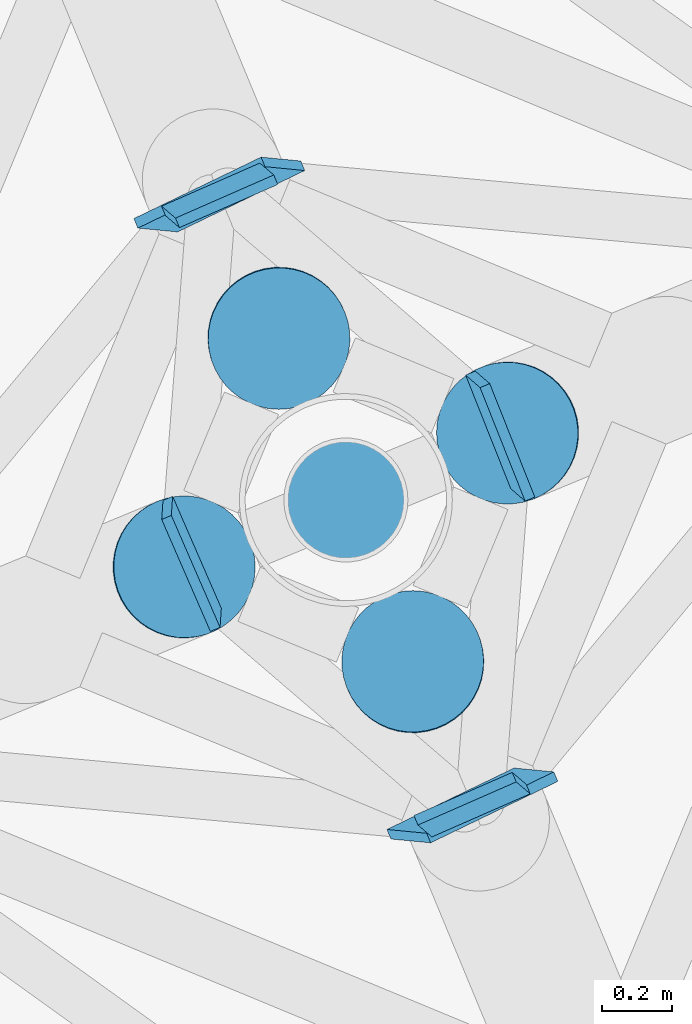
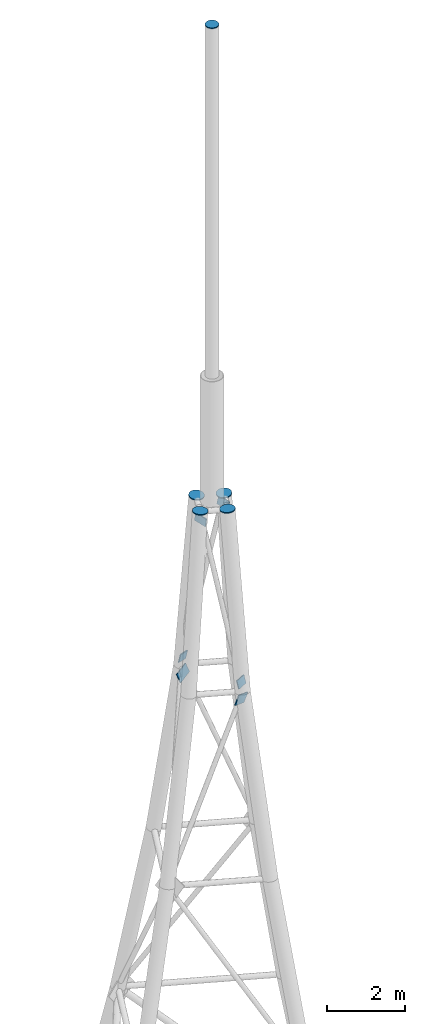
# One storey, part 24 of 25: 11 discrete accessories.
"""IFC4 building model written with IfcOpenShell, lengths in metres."""

from ifc_helpers import new_model, si_unit, direction, frame, origin, origin_2d, place, context, subcontext, project, spatial, rectangle, circle, extrude, material, layer, layer_set, type_object, element, save


model = new_model("IFC4")

# Units and contexts
model_context = context("Model", 3, precision=1e-05, world=origin(), true_north=direction((0.0, 1.0)))
body_context = subcontext(model_context, "Body", "Model", "MODEL_VIEW")
ifc_project = project(units=[si_unit("LENGTHUNIT", "METRE"), si_unit("AREAUNIT", "SQUARE_METRE"), si_unit("VOLUMEUNIT", "CUBIC_METRE"), si_unit("PLANEANGLEUNIT", "RADIAN"), si_unit("MASSUNIT", "GRAM", prefix="KILO")], contexts=[model_context])

# Site, building, storey
site_placement = place(None, origin())
site = spatial("IfcSite", under=ifc_project, at=site_placement, CompositionType="ELEMENT")
building_placement = place(site_placement, origin())
building = spatial("IfcBuilding", under=site, at=building_placement, Name="Nagisa Residences", CompositionType="ELEMENT")
storey_placement = place(building_placement, frame((0.0, 0.0, 340.89990234375)))
storey = spatial("IfcBuildingStorey", under=building, at=storey_placement, Name="L84", CompositionType="ELEMENT", Elevation=340.89990234375)

# Discrete accessories
ifc_material_1 = material(Name="Steel ASTM A572 Gr 50", Category="steel")
ifc_layer_1 = layer(ifc_material_1, 0.030029296875)
ifc_layer_set_1 = layer_set([ifc_layer_1], Name="End plate")
discrete_accessory_type_1 = type_object("IfcDiscreteAccessoryType", Name="End plate", PredefinedType="ANCHORPLATE", material=ifc_layer_set_1)
for number, where, z_axis, x_axis, name in (
    (1, (0.464599609375, 0.1923828125, 59.0), (-0.080990911305, -0.032396364522, 0.996188209051), (0.371390676354, -0.928476690885, 0.0), "End plate MAST-L"),
    (2, (-0.1923828125, 0.464599609375, 59.0), (0.032396364522, -0.080990911305, 0.996188209051), (0.928476690885, 0.371390676354, 0.0), "End plate MAST-L"),
    (3, (-0.464599609375, -0.1923828125, 59.0), (0.080990911305, 0.032396364522, 0.996188209051), (-0.371390676354, 0.928476690885, 0.0), "End plate MAST-L"),
    (4, (0.1923828125, -0.464599609375, 59.0), (-0.032396364522, 0.080990911305, 0.996188209051), (-0.928476690885, -0.371390676354, 0.0), "End plate MAST-L"),
):
    element("IfcDiscreteAccessory", number, at=place(storey_placement, frame(where, z_axis=z_axis, x_axis=x_axis)), inside=storey, type_object=discrete_accessory_type_1, Name=name, PredefinedType="ANCHORPLATE", context=body_context, shape_type="SweptSolid", body=[
        extrude(circle(Radius=0.203125, at=origin_2d()), origin(), (0.0, 0.0, 1.0), 0.030029296875),
    ])
discrete_accessory_1_placement = place(storey_placement, frame((0.0, 0.0, 74.0), z_axis=(0.0, 0.0, 1.0), x_axis=(1.0, 0.0, 0.0)))
element("IfcDiscreteAccessory", 5, at=discrete_accessory_1_placement, inside=storey, type_object=discrete_accessory_type_1, Name="End plate SPIRE-U", PredefinedType="ANCHORPLATE", context=body_context, shape_type="SweptSolid", body=[
    extrude(circle(Radius=0.177734375, at=origin_2d()), origin(), (0.0, 0.0, 1.0), 0.030029296875),
])
ifc_material_2 = material(Name="Steel ASTM A572 Gr 50", Category="steel")
ifc_layer_2 = layer(ifc_material_2, 0.030029296875)
ifc_layer_set_2 = layer_set([ifc_layer_2], Name="Node plate")
discrete_accessory_type_2 = type_object("IfcDiscreteAccessoryType", Name="Node plate", PredefinedType="ANCHORPLATE", material=ifc_layer_set_2)
for number, where, z_axis, x_axis, name in (
    (6, (-0.356689453125, 0.861083984375, 53.2470703125), (-0.373798480134, 0.910118038588, -0.178773186151), (0.36054292923, -0.035008075918, -0.932085420336), "Node plate MAST-B3"),
    (7, (0.356689453125, -0.861083984375, 53.2470703125), (0.373798480134, -0.910118038588, -0.178773186151), (-0.36054292923, 0.035008075918, -0.932085420336), "Node plate MAST-B3"),
):
    element("IfcDiscreteAccessory", number, at=place(storey_placement, frame(where, z_axis=z_axis, x_axis=x_axis)), inside=storey, type_object=discrete_accessory_type_2, Name=name, PredefinedType="ANCHORPLATE", context=body_context, shape_type="SweptSolid", body=[
        extrude(rectangle(XDim=0.31591796875, YDim=0.426025390625, at=origin_2d()), origin(), (0.0, 0.0, 1.0), 0.030029296875),
    ])
discrete_accessory_2_placement = place(storey_placement, frame((-0.355712890625, 0.85888671875, 53.766357421875), z_axis=(-0.380757199739, 0.907336305762, 0.178226774346), x_axis=(0.151341935267, -0.128996014649, 0.980028390831)))
element("IfcDiscreteAccessory", 8, at=discrete_accessory_2_placement, inside=storey, type_object=discrete_accessory_type_2, Name="Node plate MAST-B3", PredefinedType="ANCHORPLATE", context=body_context, shape_type="SweptSolid", body=[
    extrude(rectangle(XDim=0.26416015625, YDim=0.30859375, at=origin_2d()), origin(), (0.0, 0.0, 1.0), 0.030029296875),
])
for number, where, z_axis, x_axis, name in (
    (9, (0.42822265625, 0.17724609375, 58.732666015625), (0.919611409625, 0.382493241171, -0.089519694742), (-0.149312434102, 0.129561472395, -0.980265077361), "Node plate MAST-B3"),
    (10, (-0.42822265625, -0.17724609375, 58.732666015625), (-0.919611409625, -0.382493241171, -0.089519694742), (0.0133887937, 0.197233663094, -0.980265077592), "Node plate MAST-B3"),
):
    element("IfcDiscreteAccessory", number, at=place(storey_placement, frame(where, z_axis=z_axis, x_axis=x_axis)), inside=storey, type_object=discrete_accessory_type_2, Name=name, PredefinedType="ANCHORPLATE", context=body_context, shape_type="SweptSolid", body=[
        extrude(rectangle(XDim=0.27685546875, YDim=0.355224609375, at=origin_2d()), origin(), (0.0, 0.0, 1.0), 0.030029296875),
    ])
discrete_accessory_3_placement = place(storey_placement, frame((0.355712890625, -0.85888671875, 53.766357421875), z_axis=(0.380757199739, -0.907336305762, 0.178226774346), x_axis=(-0.151341935267, 0.128996014649, 0.980028390831)))
element("IfcDiscreteAccessory", 11, at=discrete_accessory_3_placement, inside=storey, type_object=discrete_accessory_type_2, Name="Node plate MAST-B3", PredefinedType="ANCHORPLATE", context=body_context, shape_type="SweptSolid", body=[
    extrude(rectangle(XDim=0.26416015625, YDim=0.30859375, at=origin_2d()), origin(), (0.0, 0.0, 1.0), 0.030029296875),
])

save(model, "model.ifc")
